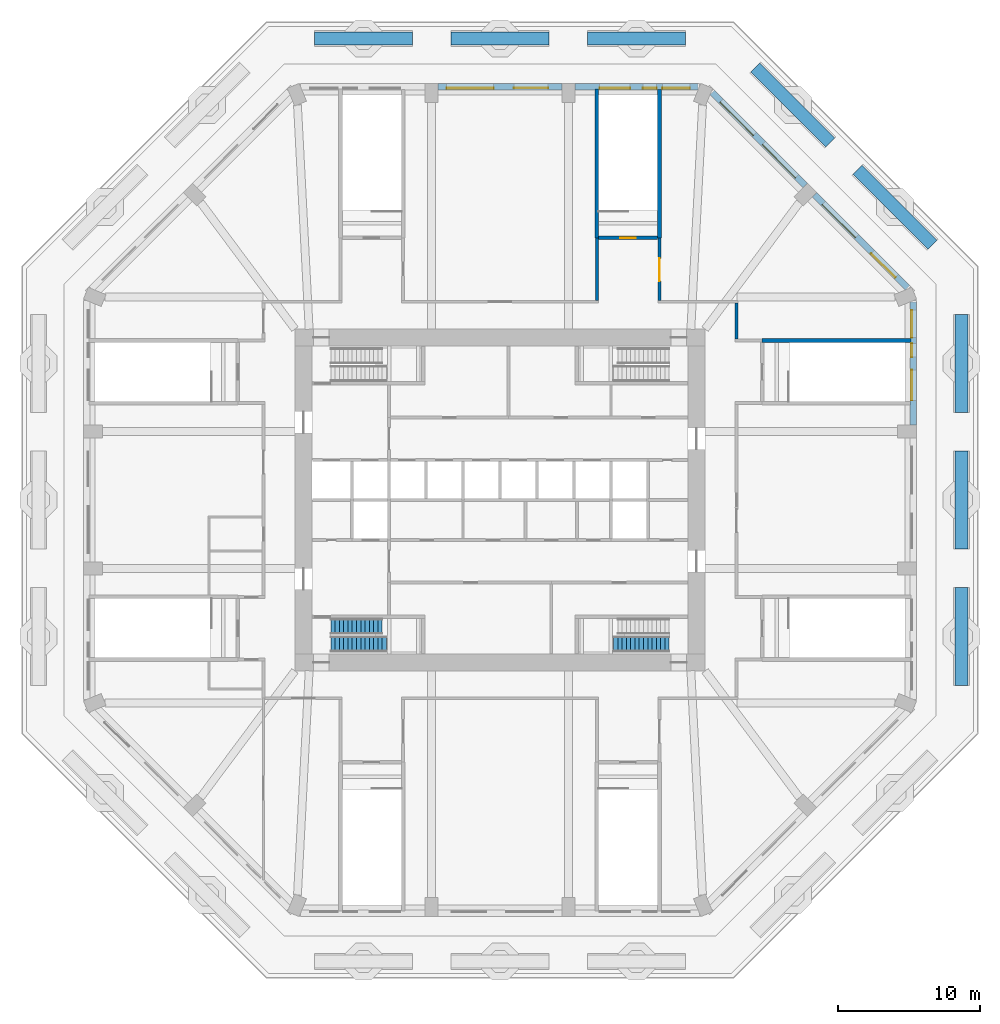
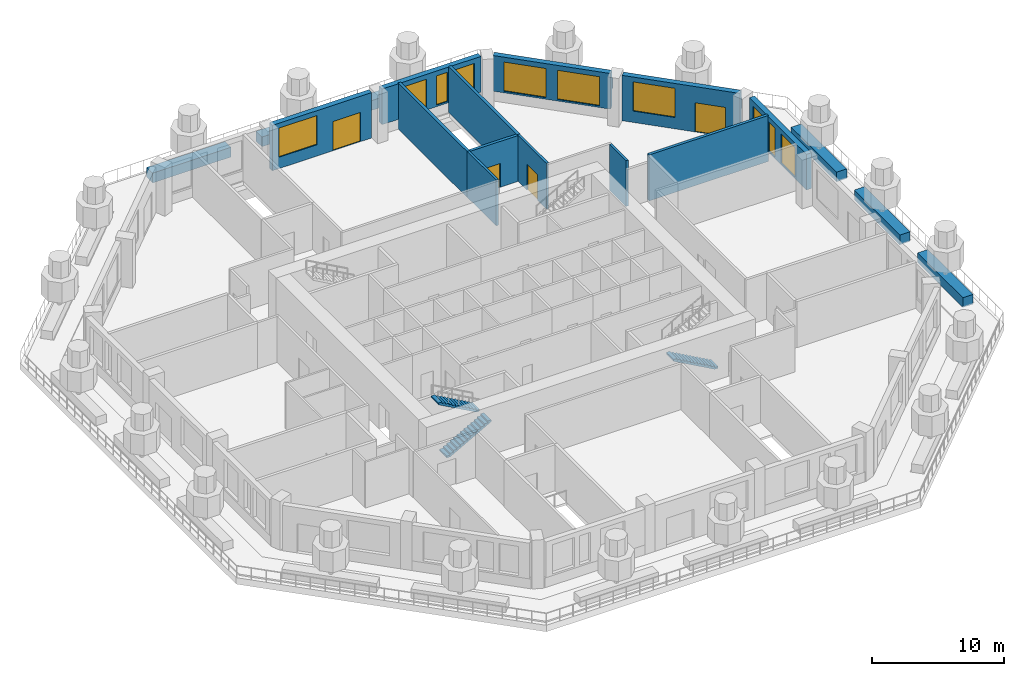
# One storey, part 8 of 13: 20 walls, 10 windows, 4 doors, 3 stair flights, 14 openings, 2 elements without a shape of their own.
"""IFC4 building model written with IfcOpenShell, lengths in metres."""

import ifcopenshell
import ifcopenshell.guid

model = None  # the IFC model being written
_history = None  # IfcOwnerHistory: only IFC2X3 demands one
_inside = {}  # id of a spatial element -> (the spatial element, [elements in it])
_under = {}  # id of a project, library or spatial element -> (it, [spatial elements below it])
_declared = {}  # id of a project -> (the project, [libraries it declares])
_typed = {}  # id of a type object -> (the type object, [elements of that type])
_made_of = {}  # id of a material, layer set ... -> (it, [elements and type objects made of it])


def new_model(schema):
    """Start an empty IFC model of exactly this schema.

    Asked for "IFC4X3", IfcOpenShell would pick the latest addendum, in which some entities
    have other attributes; the version numbers below select the first issue.
    IFC2X3 requires an IfcOwnerHistory on every rooted entity: one is made here for all.
    """
    global model, _history
    if schema == "IFC4X3":
        model = ifcopenshell.file(schema_version=(4, 3, 0, 0))
    else:
        model = ifcopenshell.file(schema=schema)
    _inside.clear()
    _under.clear()
    _declared.clear()
    _typed.clear()
    _made_of.clear()
    _history = None
    if model.schema == "IFC2X3":
        org = make("IfcOrganization", Name="unknown")
        user = make(
            "IfcPersonAndOrganization",
            ThePerson=make("IfcPerson", FamilyName="unknown"),
            TheOrganization=org,
        )
        app = make(
            "IfcApplication",
            ApplicationDeveloper=org,
            Version="unknown",
            ApplicationFullName="unknown",
            ApplicationIdentifier="unknown",
        )
        _history = make(
            "IfcOwnerHistory",
            OwningUser=user,
            OwningApplication=app,
            ChangeAction="ADDED",
            CreationDate=0,
        )
    return model


def make(cls, **values):
    """One entity of the class cls with the attributes given. An attribute that is None is left unset."""
    return model.create_entity(
        cls, **{name: value for name, value in values.items() if value is not None}
    )


def rooted(cls, **values):
    """An entity with a GlobalId (a new one), such as an element, a storey or a relation."""
    return make(cls, GlobalId=ifcopenshell.guid.new(), OwnerHistory=_history, **values)


def si_unit(unit_type, name, prefix=None):
    """IfcSIUnit, for example si_unit("LENGTHUNIT", "METRE", prefix="MILLI")."""
    return make("IfcSIUnit", UnitType=unit_type, Prefix=prefix, Name=name)


def assignment(units):
    """IfcUnitAssignment: the units of a project."""
    return None if units is None else make("IfcUnitAssignment", Units=units)


def point(xyz):
    """IfcCartesianPoint."""
    return None if xyz is None else make("IfcCartesianPoint", Coordinates=xyz)


def direction(xyz):
    """IfcDirection."""
    return None if xyz is None else make("IfcDirection", DirectionRatios=xyz)


def frame(location, z_axis=None, x_axis=None):
    """IfcAxis2Placement3D, a coordinate frame: its origin and axes. An axis left out is left unset."""
    return make(
        "IfcAxis2Placement3D",
        Location=point(location),
        Axis=direction(z_axis),
        RefDirection=direction(x_axis),
    )


def frame_2d(location, x_axis=None):
    """IfcAxis2Placement2D, a coordinate frame in the plane: its origin and x axis."""
    return make(
        "IfcAxis2Placement2D", Location=point(location), RefDirection=direction(x_axis)
    )


def origin():
    """The frame at (0, 0, 0) with its axes left unset."""
    return frame((0.0, 0.0, 0.0))


def place(relative_to, where):
    """IfcLocalPlacement: puts the frame where relative to a parent placement (None: the world)."""
    return make(
        "IfcLocalPlacement", PlacementRelTo=relative_to, RelativePlacement=where
    )


def context(
    kind, dimensions, precision=None, world=None, true_north=None, identifier=None
):
    """IfcGeometricRepresentationContext, for example the 3D "Model" context."""
    return make(
        "IfcGeometricRepresentationContext",
        ContextIdentifier=identifier,
        ContextType=kind,
        CoordinateSpaceDimension=dimensions,
        Precision=precision,
        WorldCoordinateSystem=world,
        TrueNorth=true_north,
    )


def subcontext(parent, identifier, kind, view, scale=None):
    """IfcGeometricRepresentationSubContext, for example "Body" below "Model"."""
    return make(
        "IfcGeometricRepresentationSubContext",
        ContextIdentifier=identifier,
        ContextType=kind,
        ParentContext=parent,
        TargetScale=scale,
        TargetView=view,
    )


def project(units=None, contexts=None):
    """IfcProject with its units and contexts."""
    return rooted(
        "IfcProject",
        Name="project",
        RepresentationContexts=contexts,
        UnitsInContext=assignment(units),
    )


def spatial(cls, under=None, at=None, **own):
    """A site, building, storey or space (cls), placed at a placement, below another one or the project."""
    s = rooted(cls, ObjectPlacement=at, **own)
    if under is not None:
        _under.setdefault(under.id(), (under, []))[1].append(s)
    return s


def polyline(points):
    """IfcPolyline through the points."""
    return make("IfcPolyline", Points=[point(p) for p in points])


def profile(cls, at=None, kind="AREA", **sizes):
    """A parametric profile (cls). Its sizes go by their IFC names, for example OverallWidth=200.0."""
    return make(cls, ProfileType=kind, Position=at, **sizes)


def rectangle(**sizes):
    """IfcRectangleProfileDef."""
    return profile("IfcRectangleProfileDef", **sizes)


def outline(outer, holes=None, kind="AREA"):
    """IfcArbitraryClosedProfileDef: a profile drawn as a closed curve; with holes, ...WithVoids."""
    if holes is None:
        return make("IfcArbitraryClosedProfileDef", ProfileType=kind, OuterCurve=outer)
    return make(
        "IfcArbitraryProfileDefWithVoids",
        ProfileType=kind,
        OuterCurve=outer,
        InnerCurves=holes,
    )


def extrude(swept, where, along, depth):
    """IfcExtrudedAreaSolid: the profile swept, set in the frame where, extruded along a direction by depth."""
    return make(
        "IfcExtrudedAreaSolid",
        SweptArea=swept,
        Position=where,
        ExtrudedDirection=direction(along),
        Depth=depth,
    )


def shape(context_of_items, identifier, shape_type, items):
    """IfcShapeRepresentation: the items that make up one representation, for example the "Body"."""
    return make(
        "IfcShapeRepresentation",
        ContextOfItems=context_of_items,
        RepresentationIdentifier=identifier,
        RepresentationType=shape_type,
        Items=items,
    )


def material(Name=None, Category=None):
    """IfcMaterial."""
    return make("IfcMaterial", Name=Name, Category=Category)


def layer(
    of_material, thickness, ventilated=None, Name=None, Category=None, Priority=None
):
    """IfcMaterialLayer: one layer of a wall or slab, of a material (None: an air gap)."""
    return make(
        "IfcMaterialLayer",
        Material=of_material,
        LayerThickness=thickness,
        IsVentilated=ventilated,
        Name=Name,
        Category=Category,
        Priority=Priority,
    )


def layer_set(layers, Name=None):
    """IfcMaterialLayerSet."""
    return make("IfcMaterialLayerSet", MaterialLayers=layers, LayerSetName=Name)


def made_of(thing, what):
    """Note that an element or type object is made of a material, layer set ...; save() writes the relation."""
    if what is not None:
        _made_of.setdefault(what.id(), (what, []))[1].append(thing)
    return thing


def type_object(cls, material=None, **own):
    """A type object (cls), such as IfcWallType, which elements share."""
    return made_of(rooted(cls, **own), material)


def element(
    cls,
    number,
    at=None,
    inside=None,
    cuts=None,
    type_object=None,
    material=None,
    context=None,
    identifier="Body",
    shape_type=None,
    held_by="IfcProductDefinitionShape",
    body=None,
    shapes=None,
    **own,
):
    """One element of the class cls, such as IfcWall. Its Tag is "e" and its number.

    at: its placement. inside: the storey or other place that contains it. cuts: it is an
    opening in that element (IfcRelVoidsElement). A single representation is given by context,
    identifier, shape_type and body (its items); several are given by shapes. held_by: the class
    of the entity that holds the representations. save() writes the other relations.
    """
    e = rooted(cls, Tag="e%d" % number, ObjectPlacement=at, **own)
    if body is not None:
        shapes = [shape(context, identifier, shape_type, body)]
    if shapes is not None:
        e.Representation = make(held_by, Representations=shapes)
    if inside is not None:
        _inside.setdefault(inside.id(), (inside, []))[1].append(e)
    if cuts is not None:
        rooted(
            "IfcRelVoidsElement", RelatingBuildingElement=cuts, RelatedOpeningElement=e
        )
    if type_object is not None:
        _typed.setdefault(type_object.id(), (type_object, []))[1].append(e)
    return made_of(e, material)


def fill(opening, filler):
    """IfcRelFillsElement: the door or window that sits in an opening."""
    return rooted(
        "IfcRelFillsElement",
        RelatingOpeningElement=opening,
        RelatedBuildingElement=filler,
    )


def aggregate(whole, parts):
    """IfcRelAggregates: a whole, such as a stair, and the parts it consists of."""
    return rooted("IfcRelAggregates", RelatingObject=whole, RelatedObjects=parts)


def save(model, path):
    """Write the relations noted so far, then the file.

    IfcRelAggregates (storeys below a building ...), IfcRelContainedInSpatialStructure (elements
    in a storey), IfcRelDefinesByType, IfcRelAssociatesMaterial and IfcRelDeclares: one each for
    every whole, place, type object, material and project.
    """
    for whole, parts in _under.values():
        aggregate(whole, parts)
    for where, things in _inside.values():
        rooted(
            "IfcRelContainedInSpatialStructure",
            RelatedElements=things,
            RelatingStructure=where,
        )
    for kind, things in _typed.values():
        rooted("IfcRelDefinesByType", RelatedObjects=things, RelatingType=kind)
    for what, things in _made_of.values():
        rooted("IfcRelAssociatesMaterial", RelatedObjects=things, RelatingMaterial=what)
    for by, libraries in _declared.values():
        rooted("IfcRelDeclares", RelatingContext=by, RelatedDefinitions=libraries)
    model.write(path)


model = new_model("IFC4")

# Units and contexts
model_context = context("Model", 3, precision=1e-05, world=origin(), true_north=direction((0.0, 1.0)))
body_context = subcontext(model_context, "Body", "Model", "MODEL_VIEW")
ifc_project = project(units=[si_unit("LENGTHUNIT", "METRE"), si_unit("AREAUNIT", "SQUARE_METRE"), si_unit("VOLUMEUNIT", "CUBIC_METRE"), si_unit("PLANEANGLEUNIT", "RADIAN"), si_unit("MASSUNIT", "GRAM", prefix="KILO")], contexts=[model_context])

# Site, building, storey
site_placement = place(None, origin())
site = spatial("IfcSite", under=ifc_project, at=site_placement, CompositionType="ELEMENT")
building_placement = place(site_placement, origin())
building = spatial("IfcBuilding", under=site, at=building_placement, Name="Msitu Wima Residences", CompositionType="ELEMENT")
storey_placement = place(building_placement, frame((0.0, 0.0, 21.0)))
storey = spatial("IfcBuildingStorey", under=building, at=storey_placement, Name="L04", CompositionType="ELEMENT", Elevation=21.0)

# Wall, openings, windows
ifc_material_1 = material(Name="Brick (red buff mix), cavity wall of two leaves", Category="masonry")
ifc_layer_1 = layer(ifc_material_1, 0.449951171875)
ifc_layer_set_1 = layer_set([ifc_layer_1], Name="Brick (red buff mix), cavity wall of two leaves")
wall_type_1 = type_object("IfcWallType", Name="Brick infill wall BW450 podium", PredefinedType="ELEMENTEDWALL", material=ifc_layer_set_1)
wall_1_placement = place(storey_placement, frame((29.02490234375, 5.25, 0.89990234375), z_axis=(0.0, 0.0, 1.0), x_axis=(0.0, 1.0, 0.0)))
wall_1 = element("IfcWall", 1, at=wall_1_placement, inside=storey, type_object=wall_type_1, Name="Brick infill wall L04 E2", PredefinedType="ELEMENTEDWALL", context=body_context, shape_type="SweptSolid", body=[
    extrude(rectangle(XDim=8.662841796875, YDim=0.449951171875, at=frame_2d((4.33154296875, 0.0))), origin(), (0.0, 0.0, 1.0), 3.300048828125),
])
opening_1_placement = place(wall_1_placement, frame((1.75, 0.0, 0.14990234375)))
opening_1 = element("IfcOpeningElement", 2, at=opening_1_placement, cuts=wall_1, Name="Opening W04.005", PredefinedType="OPENING", context=body_context, shape_type="SweptSolid", body=[
    extrude(rectangle(XDim=2.1298828125, YDim=2.699951171875, at=frame_2d((1.06494140625, 1.35009765625))), frame((0.0, 0.23486328125, 0.0), z_axis=(0.0, -1.0, 0.0), x_axis=(1.0, 0.0, 0.0)), (0.0, 0.0, 1.0), 0.469970703125),
])
opening_2_placement = place(wall_1_placement, frame((4.781494140625, 0.0, 0.14990234375)))
opening_2 = element("IfcOpeningElement", 3, at=opening_2_placement, cuts=wall_1, Name="Opening W04.006", PredefinedType="OPENING", context=body_context, shape_type="SweptSolid", body=[
    extrude(rectangle(XDim=0.969970703125, YDim=2.699951171875, at=frame_2d((0.48486328125, 1.35009765625))), frame((0.0, 0.23486328125, 0.0), z_axis=(0.0, -1.0, 0.0), x_axis=(1.0, 0.0, 0.0)), (0.0, 0.0, 1.0), 0.469970703125),
])
opening_3_placement = place(wall_1_placement, frame((6.14990234375, 0.0, 0.14990234375)))
opening_3 = element("IfcOpeningElement", 4, at=opening_3_placement, cuts=wall_1, Name="Opening W04.007", PredefinedType="OPENING", context=body_context, shape_type="SweptSolid", body=[
    extrude(rectangle(XDim=1.929931640625, YDim=2.699951171875, at=frame_2d((0.96484375, 1.35009765625))), frame((0.0, 0.23486328125, 0.0), z_axis=(0.0, -1.0, 0.0), x_axis=(1.0, 0.0, 0.0)), (0.0, 0.0, 1.0), 0.469970703125),
])
ifc_material_2 = material(Name="Anodised aluminium, bronze finish, clear low-emissivity double glazing", Category="aluminium")
window_type_1 = type_object("IfcWindowType", Name="Window W1930x2700", PartitioningType="DOUBLE_PANEL_VERTICAL", PredefinedType="WINDOW", material=ifc_material_2)
window_1_placement = place(opening_3_placement, origin())
window_1 = element("IfcWindow", 5, at=window_1_placement, inside=storey, type_object=window_type_1, Name="Window L04 E2.2b", OverallHeight=2.699951171875, OverallWidth=1.929931640625, PartitioningType="SINGLE_PANEL", PredefinedType="WINDOW", context=body_context, shape_type="SweptSolid", body=[
    extrude(rectangle(XDim=1.929931640625, YDim=2.699951171875, at=frame_2d((0.96484375, 1.35009765625))), frame((0.0, 0.135009765625, 0.0), z_axis=(0.0, -1.0, 0.0), x_axis=(1.0, 0.0, 0.0)), (0.0, 0.0, 1.0), 0.06005859375),
])
fill(opening_3, window_1)
window_type_2 = type_object("IfcWindowType", Name="Window W2130x2700", PartitioningType="DOUBLE_PANEL_VERTICAL", PredefinedType="WINDOW", material=ifc_material_2)
window_2_placement = place(opening_1_placement, origin())
window_2 = element("IfcWindow", 6, at=window_2_placement, inside=storey, type_object=window_type_2, Name="Window L04 E2.1b", OverallHeight=2.699951171875, OverallWidth=2.1298828125, PartitioningType="SINGLE_PANEL", PredefinedType="WINDOW", context=body_context, shape_type="SweptSolid", body=[
    extrude(rectangle(XDim=2.1298828125, YDim=2.699951171875, at=frame_2d((1.06494140625, 1.35009765625))), frame((0.0, 0.135009765625, 0.0), z_axis=(0.0, -1.0, 0.0), x_axis=(1.0, 0.0, 0.0)), (0.0, 0.0, 1.0), 0.06005859375),
])
fill(opening_1, window_2)
window_type_3 = type_object("IfcWindowType", Name="Window W970x2700", PartitioningType="DOUBLE_PANEL_VERTICAL", PredefinedType="WINDOW", material=ifc_material_2)
window_3_placement = place(opening_2_placement, origin())
window_3 = element("IfcWindow", 7, at=window_3_placement, inside=storey, type_object=window_type_3, Name="Window L04 E2.2a", OverallHeight=2.699951171875, OverallWidth=0.969970703125, PartitioningType="SINGLE_PANEL", PredefinedType="WINDOW", context=body_context, shape_type="SweptSolid", body=[
    extrude(rectangle(XDim=0.969970703125, YDim=2.699951171875, at=frame_2d((0.48486328125, 1.35009765625))), frame((0.0, 0.135009765625, 0.0), z_axis=(0.0, -1.0, 0.0), x_axis=(1.0, 0.0, 0.0)), (0.0, 0.0, 1.0), 0.06005859375),
])
fill(opening_2, window_3)

# Wall, openings, door, window
wall_2_placement = place(storey_placement, frame((28.61474609375, 14.903564453125, 0.0), z_axis=(0.0, 0.0, 1.0), x_axis=(-0.707106781187, 0.707106781187, 0.0)))
wall_2 = element("IfcWall", 8, at=wall_2_placement, inside=storey, type_object=wall_type_1, Name="Brick infill wall L04 NE0", PredefinedType="ELEMENTEDWALL", context=body_context, shape_type="SweptSolid", body=[
    extrude(rectangle(XDim=9.2451171875, YDim=0.449951171875, at=frame_2d((4.62255859375, 0.0))), origin(), (0.0, 0.0, 1.0), 4.199951171875),
])
opening_4_placement = place(wall_2_placement, frame((1.111328125, 0.0, 0.0)))
opening_4 = element("IfcOpeningElement", 9, at=opening_4_placement, cuts=wall_2, Name="Opening D04.003", PredefinedType="OPENING", context=body_context, shape_type="SweptSolid", body=[
    extrude(rectangle(XDim=2.39990234375, YDim=2.699951171875, at=frame_2d((1.199951171875, 1.35009765625))), frame((0.0, 0.23486328125, 0.0), z_axis=(0.0, -1.0, 0.0), x_axis=(1.0, 0.0, 0.0)), (0.0, 0.0, 1.0), 0.469970703125),
])
opening_5_placement = place(wall_2_placement, frame((5.072509765625, 0.0, 1.050048828125)))
opening_5 = element("IfcOpeningElement", 10, at=opening_5_placement, cuts=wall_2, Name="Opening W04.015", PredefinedType="OPENING", context=body_context, shape_type="SweptSolid", body=[
    extrude(rectangle(XDim=3.300048828125, YDim=2.699951171875, at=frame_2d((1.64990234375, 1.35009765625))), frame((0.0, 0.23486328125, 0.0), z_axis=(0.0, -1.0, 0.0), x_axis=(1.0, 0.0, 0.0)), (0.0, 0.0, 1.0), 0.469970703125),
])
door_type_1 = type_object("IfcDoorType", Name="Balcony door D2400x2700", OperationType="SLIDING_TO_LEFT", PredefinedType="DOOR", material=ifc_material_2)
door_1_placement = place(opening_4_placement, origin())
door_1 = element("IfcDoor", 11, at=door_1_placement, inside=storey, type_object=door_type_1, Name="Terrace door L04 NE0", OperationType="SINGLE_SWING_LEFT", OverallHeight=2.699951171875, OverallWidth=2.39990234375, PredefinedType="DOOR", context=body_context, shape_type="SweptSolid", body=[
    extrude(rectangle(XDim=2.39990234375, YDim=2.699951171875, at=frame_2d((1.199951171875, 1.35009765625))), frame((0.0, 0.1298828125, 0.0), z_axis=(0.0, -1.0, 0.0), x_axis=(1.0, 0.0, 0.0)), (0.0, 0.0, 1.0), 0.050048828125),
])
fill(opening_4, door_1)
window_type_4 = type_object("IfcWindowType", Name="Window W3300x2700", PartitioningType="DOUBLE_PANEL_VERTICAL", PredefinedType="WINDOW", material=ifc_material_2)
window_4_placement = place(opening_5_placement, origin())
window_4 = element("IfcWindow", 12, at=window_4_placement, inside=storey, type_object=window_type_4, Name="Window L04 NE0.2", OverallHeight=2.699951171875, OverallWidth=3.300048828125, PartitioningType="SINGLE_PANEL", PredefinedType="WINDOW", context=body_context, shape_type="SweptSolid", body=[
    extrude(rectangle(XDim=3.300048828125, YDim=2.699951171875, at=frame_2d((1.64990234375, 1.35009765625))), frame((0.0, 0.135009765625, 0.0), z_axis=(0.0, -1.0, 0.0), x_axis=(1.0, 0.0, 0.0)), (0.0, 0.0, 1.0), 0.06005859375),
])
fill(opening_5, window_4)

# Wall, openings, windows
wall_3_placement = place(storey_placement, frame((21.44091796875, 22.077392578125, 0.89990234375), z_axis=(0.0, 0.0, 1.0), x_axis=(-0.707106781187, 0.707106781187, 0.0)))
wall_3 = element("IfcWall", 13, at=wall_3_placement, inside=storey, type_object=wall_type_1, Name="Brick infill wall L04 NE1", PredefinedType="ELEMENTEDWALL", context=body_context, shape_type="SweptSolid", body=[
    extrude(rectangle(XDim=9.2451171875, YDim=0.449951171875, at=frame_2d((4.62255859375, 0.0))), origin(), (0.0, 0.0, 1.0), 3.300048828125),
])
opening_6_placement = place(wall_3_placement, frame((0.87255859375, 0.0, 0.14990234375)))
opening_6 = element("IfcOpeningElement", 14, at=opening_6_placement, cuts=wall_3, Name="Opening W04.016", PredefinedType="OPENING", context=body_context, shape_type="SweptSolid", body=[
    extrude(rectangle(XDim=3.300048828125, YDim=2.699951171875, at=frame_2d((1.64990234375, 1.35009765625))), frame((0.0, 0.23486328125, 0.0), z_axis=(0.0, -1.0, 0.0), x_axis=(1.0, 0.0, 0.0)), (0.0, 0.0, 1.0), 0.469970703125),
])
opening_7_placement = place(wall_3_placement, frame((5.072509765625, 0.0, 0.14990234375)))
opening_7 = element("IfcOpeningElement", 15, at=opening_7_placement, cuts=wall_3, Name="Opening W04.017", PredefinedType="OPENING", context=body_context, shape_type="SweptSolid", body=[
    extrude(rectangle(XDim=3.300048828125, YDim=2.699951171875, at=frame_2d((1.64990234375, 1.35009765625))), frame((0.0, 0.23486328125, 0.0), z_axis=(0.0, -1.0, 0.0), x_axis=(1.0, 0.0, 0.0)), (0.0, 0.0, 1.0), 0.469970703125),
])
window_5_placement = place(opening_6_placement, origin())
window_5 = element("IfcWindow", 16, at=window_5_placement, inside=storey, type_object=window_type_4, Name="Window L04 NE1.1", OverallHeight=2.699951171875, OverallWidth=3.300048828125, PartitioningType="SINGLE_PANEL", PredefinedType="WINDOW", context=body_context, shape_type="SweptSolid", body=[
    extrude(rectangle(XDim=3.300048828125, YDim=2.699951171875, at=frame_2d((1.64990234375, 1.35009765625))), frame((0.0, 0.135009765625, 0.0), z_axis=(0.0, -1.0, 0.0), x_axis=(1.0, 0.0, 0.0)), (0.0, 0.0, 1.0), 0.06005859375),
])
fill(opening_6, window_5)
window_6_placement = place(opening_7_placement, origin())
window_6 = element("IfcWindow", 17, at=window_6_placement, inside=storey, type_object=window_type_4, Name="Window L04 NE1.2", OverallHeight=2.699951171875, OverallWidth=3.300048828125, PartitioningType="SINGLE_PANEL", PredefinedType="WINDOW", context=body_context, shape_type="SweptSolid", body=[
    extrude(rectangle(XDim=3.300048828125, YDim=2.699951171875, at=frame_2d((1.64990234375, 1.35009765625))), frame((0.0, 0.135009765625, 0.0), z_axis=(0.0, -1.0, 0.0), x_axis=(1.0, 0.0, 0.0)), (0.0, 0.0, 1.0), 0.06005859375),
])
fill(opening_7, window_6)

wall_4_placement = place(storey_placement, frame((13.912841796875, 29.02490234375, 0.89990234375), z_axis=(0.0, 0.0, 1.0), x_axis=(-1.0, 0.0, 0.0)))
wall_4 = element("IfcWall", 18, at=wall_4_placement, inside=storey, type_object=wall_type_1, Name="Brick infill wall L04 N0", PredefinedType="ELEMENTEDWALL", context=body_context, shape_type="SweptSolid", body=[
    extrude(rectangle(XDim=8.662841796875, YDim=0.449951171875, at=frame_2d((4.33154296875, 0.0))), origin(), (0.0, 0.0, 1.0), 3.300048828125),
])
opening_8_placement = place(wall_4_placement, frame((0.58154296875, 0.0, 0.14990234375)))
opening_8 = element("IfcOpeningElement", 19, at=opening_8_placement, cuts=wall_4, Name="Opening W04.008", PredefinedType="OPENING", context=body_context, shape_type="SweptSolid", body=[
    extrude(rectangle(XDim=1.929931640625, YDim=2.699951171875, at=frame_2d((0.96484375, 1.35009765625))), frame((0.0, 0.23486328125, 0.0), z_axis=(0.0, -1.0, 0.0), x_axis=(1.0, 0.0, 0.0)), (0.0, 0.0, 1.0), 0.469970703125),
])
opening_9_placement = place(wall_4_placement, frame((2.912841796875, 0.0, 0.14990234375)))
opening_9 = element("IfcOpeningElement", 20, at=opening_9_placement, cuts=wall_4, Name="Opening W04.009", PredefinedType="OPENING", context=body_context, shape_type="SweptSolid", body=[
    extrude(rectangle(XDim=0.969970703125, YDim=2.699951171875, at=frame_2d((0.48486328125, 1.35009765625))), frame((0.0, 0.23486328125, 0.0), z_axis=(0.0, -1.0, 0.0), x_axis=(1.0, 0.0, 0.0)), (0.0, 0.0, 1.0), 0.469970703125),
])
opening_10_placement = place(wall_4_placement, frame((4.781494140625, 0.0, 0.14990234375)))
opening_10 = element("IfcOpeningElement", 21, at=opening_10_placement, cuts=wall_4, Name="Opening W04.010", PredefinedType="OPENING", context=body_context, shape_type="SweptSolid", body=[
    extrude(rectangle(XDim=2.1298828125, YDim=2.699951171875, at=frame_2d((1.06494140625, 1.35009765625))), frame((0.0, 0.23486328125, 0.0), z_axis=(0.0, -1.0, 0.0), x_axis=(1.0, 0.0, 0.0)), (0.0, 0.0, 1.0), 0.469970703125),
])
window_7_placement = place(opening_8_placement, origin())
window_7 = element("IfcWindow", 22, at=window_7_placement, inside=storey, type_object=window_type_1, Name="Window L04 N0.1a", OverallHeight=2.699951171875, OverallWidth=1.929931640625, PartitioningType="SINGLE_PANEL", PredefinedType="WINDOW", context=body_context, shape_type="SweptSolid", body=[
    extrude(rectangle(XDim=1.929931640625, YDim=2.699951171875, at=frame_2d((0.96484375, 1.35009765625))), frame((0.0, 0.135009765625, 0.0), z_axis=(0.0, -1.0, 0.0), x_axis=(1.0, 0.0, 0.0)), (0.0, 0.0, 1.0), 0.06005859375),
])
fill(opening_8, window_7)
window_8_placement = place(opening_10_placement, origin())
window_8 = element("IfcWindow", 23, at=window_8_placement, inside=storey, type_object=window_type_2, Name="Window L04 N0.2a", OverallHeight=2.699951171875, OverallWidth=2.1298828125, PartitioningType="SINGLE_PANEL", PredefinedType="WINDOW", context=body_context, shape_type="SweptSolid", body=[
    extrude(rectangle(XDim=2.1298828125, YDim=2.699951171875, at=frame_2d((1.06494140625, 1.35009765625))), frame((0.0, 0.135009765625, 0.0), z_axis=(0.0, -1.0, 0.0), x_axis=(1.0, 0.0, 0.0)), (0.0, 0.0, 1.0), 0.06005859375),
])
fill(opening_10, window_8)
window_9_placement = place(opening_9_placement, origin())
window_9 = element("IfcWindow", 24, at=window_9_placement, inside=storey, type_object=window_type_3, Name="Window L04 N0.1b", OverallHeight=2.699951171875, OverallWidth=0.969970703125, PartitioningType="SINGLE_PANEL", PredefinedType="WINDOW", context=body_context, shape_type="SweptSolid", body=[
    extrude(rectangle(XDim=0.969970703125, YDim=2.699951171875, at=frame_2d((0.48486328125, 1.35009765625))), frame((0.0, 0.135009765625, 0.0), z_axis=(0.0, -1.0, 0.0), x_axis=(1.0, 0.0, 0.0)), (0.0, 0.0, 1.0), 0.06005859375),
])
fill(opening_9, window_9)

# Wall, openings, door, window
wall_5_placement = place(storey_placement, frame((4.35009765625, 29.02490234375, 0.0), z_axis=(0.0, 0.0, 1.0), x_axis=(-1.0, 0.0, 0.0)))
wall_5 = element("IfcWall", 25, at=wall_5_placement, inside=storey, type_object=wall_type_1, Name="Brick infill wall L04 N1", PredefinedType="ELEMENTEDWALL", context=body_context, shape_type="SweptSolid", body=[
    extrude(rectangle(XDim=8.7001953125, YDim=0.449951171875, at=frame_2d((4.35009765625, 0.0))), origin(), (0.0, 0.0, 1.0), 4.199951171875),
])
opening_11_placement = place(wall_5_placement, frame((0.97509765625, 0.0, 0.0)))
opening_11 = element("IfcOpeningElement", 26, at=opening_11_placement, cuts=wall_5, Name="Opening D04.002", PredefinedType="OPENING", context=body_context, shape_type="SweptSolid", body=[
    extrude(rectangle(XDim=2.39990234375, YDim=2.699951171875, at=frame_2d((1.199951171875, 1.35009765625))), frame((0.0, 0.23486328125, 0.0), z_axis=(0.0, -1.0, 0.0), x_axis=(1.0, 0.0, 0.0)), (0.0, 0.0, 1.0), 0.469970703125),
])
opening_12_placement = place(wall_5_placement, frame((4.800048828125, 0.0, 1.050048828125)))
opening_12 = element("IfcOpeningElement", 27, at=opening_12_placement, cuts=wall_5, Name="Opening W04.011", PredefinedType="OPENING", context=body_context, shape_type="SweptSolid", body=[
    extrude(rectangle(XDim=3.300048828125, YDim=2.699951171875, at=frame_2d((1.64990234375, 1.35009765625))), frame((0.0, 0.23486328125, 0.0), z_axis=(0.0, -1.0, 0.0), x_axis=(1.0, 0.0, 0.0)), (0.0, 0.0, 1.0), 0.469970703125),
])
door_2_placement = place(opening_11_placement, origin())
door_2 = element("IfcDoor", 28, at=door_2_placement, inside=storey, type_object=door_type_1, Name="Terrace door L04 N1", OperationType="SINGLE_SWING_LEFT", OverallHeight=2.699951171875, OverallWidth=2.39990234375, PredefinedType="DOOR", context=body_context, shape_type="SweptSolid", body=[
    extrude(rectangle(XDim=2.39990234375, YDim=2.699951171875, at=frame_2d((1.199951171875, 1.35009765625))), frame((0.0, 0.1298828125, 0.0), z_axis=(0.0, -1.0, 0.0), x_axis=(1.0, 0.0, 0.0)), (0.0, 0.0, 1.0), 0.050048828125),
])
fill(opening_11, door_2)
window_10_placement = place(opening_12_placement, origin())
window_10 = element("IfcWindow", 29, at=window_10_placement, inside=storey, type_object=window_type_4, Name="Window L04 N1.2", OverallHeight=2.699951171875, OverallWidth=3.300048828125, PartitioningType="SINGLE_PANEL", PredefinedType="WINDOW", context=body_context, shape_type="SweptSolid", body=[
    extrude(rectangle(XDim=3.300048828125, YDim=2.699951171875, at=frame_2d((1.64990234375, 1.35009765625))), frame((0.0, 0.135009765625, 0.0), z_axis=(0.0, -1.0, 0.0), x_axis=(1.0, 0.0, 0.0)), (0.0, 0.0, 1.0), 0.06005859375),
])
fill(opening_12, window_10)

# Wall
ifc_material_3 = material(Name="Plaster")
ifc_layer_2 = layer(ifc_material_3, 0.011962890625, Name="Plaster")
ifc_material_4 = material(Name="Concrete blockwork", Category="masonry")
ifc_layer_3 = layer(ifc_material_4, 0.176025390625, Name="Concrete blockwork")
ifc_layer_4 = layer(ifc_material_3, 0.011962890625, Name="Plaster")
ifc_layer_set_2 = layer_set([ifc_layer_2, ifc_layer_3, ifc_layer_4], Name="Concrete blockwork")
wall_type_2 = type_object("IfcWallType", Name="Corridor wall FW200", PredefinedType="PARTITIONING", material=ifc_layer_set_2)
wall_6_placement = place(storey_placement, frame((6.800048828125, 14.013427734375, 0.0), z_axis=(0.0, 0.0, 1.0), x_axis=(0.0, 1.0, 0.0)))
element("IfcWall", 30, at=wall_6_placement, inside=storey, type_object=wall_type_2, Name="Corridor wall", PredefinedType="PARTITIONING", context=body_context, shape_type="SweptSolid", body=[
    extrude(rectangle(XDim=4.386474609375, YDim=0.199951171875, at=frame_2d((2.193359375, 0.0))), origin(), (0.0, 0.0, 1.0), 4.25),
])

# Wall, opening, door
wall_7_placement = place(storey_placement, frame((11.199951171875, 14.013427734375, 0.0), z_axis=(0.0, 0.0, 1.0), x_axis=(0.0, 1.0, 0.0)))
wall_7 = element("IfcWall", 31, at=wall_7_placement, inside=storey, type_object=wall_type_2, Name="Corridor wall", PredefinedType="PARTITIONING", context=body_context, shape_type="SweptSolid", body=[
    extrude(rectangle(XDim=4.386474609375, YDim=0.199951171875, at=frame_2d((2.193359375, 0.0))), origin(), (0.0, 0.0, 1.0), 4.25),
])
opening_13_placement = place(wall_7_placement, frame((1.35009765625, 0.0, 0.0)))
opening_13 = element("IfcOpeningElement", 32, at=opening_13_placement, cuts=wall_7, Name="Opening D04.027", PredefinedType="OPENING", context=body_context, shape_type="SweptSolid", body=[
    extrude(rectangle(XDim=1.60009765625, YDim=2.39990234375, at=frame_2d((0.800048828125, 1.199951171875))), frame((0.0, 0.10986328125, 0.0), z_axis=(0.0, -1.0, 0.0), x_axis=(1.0, 0.0, 0.0)), (0.0, 0.0, 1.0), 0.219970703125),
])
ifc_material_5 = material(Name="Black aluminium glazed door", Category="aluminium")
door_type_2 = type_object("IfcDoorType", Name="Amenity door D10 1600x2400", OperationType="DOUBLE_DOOR_SINGLE_SWING", PredefinedType="DOOR", material=ifc_material_5)
door_3_placement = place(opening_13_placement, origin())
door_3 = element("IfcDoor", 33, at=door_3_placement, inside=storey, type_object=door_type_2, Name="Amenity door", OperationType="DOUBLE_DOOR_SINGLE_SWING", OverallHeight=2.39990234375, OverallWidth=1.60009765625, PredefinedType="DOOR", context=body_context, shape_type="SweptSolid", body=[
    extrude(rectangle(XDim=1.60009765625, YDim=2.39990234375, at=frame_2d((0.800048828125, 1.199951171875))), frame((0.0, 0.02490234375, 0.0), z_axis=(0.0, -1.0, 0.0), x_axis=(1.0, 0.0, 0.0)), (0.0, 0.0, 1.0), 0.050048828125),
])
fill(opening_13, door_3)

# Walls
wall_8_placement = place(storey_placement, frame((16.60009765625, 11.300048828125, 0.0), z_axis=(0.0, 0.0, 1.0), x_axis=(0.0, 1.0, 0.0)))
element("IfcWall", 34, at=wall_8_placement, inside=storey, type_object=wall_type_2, Name="Corridor wall", PredefinedType="PARTITIONING", context=body_context, shape_type="SweptSolid", body=[
    extrude(rectangle(XDim=2.513427734375, YDim=0.199951171875, at=frame_2d((1.2568359375, 0.0))), origin(), (0.0, 0.0, 1.0), 4.25),
])
ifc_material_6 = material(Name="Concrete C50/60", Category="concrete")
ifc_layer_5 = layer(ifc_material_6, 0.25)
ifc_layer_set_3 = layer_set([ifc_layer_5], Name="Concrete C50/60")
wall_type_3 = type_object("IfcWallType", Name="Stair enclosure wall SW250", PredefinedType="SHEAR", material=ifc_layer_set_3)
wall_9_placement = place(storey_placement, frame((6.800048828125, 18.39990234375, 0.0), z_axis=(0.0, 0.0, 1.0), x_axis=(0.0, 1.0, 0.0)))
element("IfcWall", 35, at=wall_9_placement, inside=storey, type_object=wall_type_3, Name="Stair enclosure wall", PredefinedType="SHEAR", context=body_context, shape_type="SweptSolid", body=[
    extrude(rectangle(XDim=10.455078125, YDim=0.25, at=frame_2d((5.2275390625, 0.0))), origin(), (0.0, 0.0, 1.0), 4.25),
])

# Wall, opening, door
wall_10_placement = place(storey_placement, frame((6.925048828125, 18.39990234375, 0.0), z_axis=(0.0, 0.0, 1.0), x_axis=(1.0, 0.0, 0.0)))
wall_10 = element("IfcWall", 36, at=wall_10_placement, inside=storey, type_object=wall_type_3, Name="Stair enclosure wall", PredefinedType="SHEAR", context=body_context, shape_type="SweptSolid", body=[
    extrude(rectangle(XDim=4.14990234375, YDim=0.25, at=frame_2d((2.074951171875, 0.0))), origin(), (0.0, 0.0, 1.0), 4.25),
])
opening_14_placement = place(wall_10_placement, frame((1.5, 0.0, 0.0)))
opening_14 = element("IfcOpeningElement", 37, at=opening_14_placement, cuts=wall_10, Name="Opening D04.042", PredefinedType="OPENING", context=body_context, shape_type="SweptSolid", body=[
    extrude(rectangle(XDim=1.10009765625, YDim=2.199951171875, at=frame_2d((0.550048828125, 1.10009765625))), frame((0.0, 0.135009765625, 0.0), z_axis=(0.0, -1.0, 0.0), x_axis=(1.0, 0.0, 0.0)), (0.0, 0.0, 1.0), 0.27001953125),
])
ifc_material_7 = material(Name="Steel door, fire resisting, panic bar", Category="steel")
door_type_3 = type_object("IfcDoorType", Name="Stair door D13 1100x2200", OperationType="SINGLE_SWING_LEFT", PredefinedType="DOOR", material=ifc_material_7)
door_4_placement = place(opening_14_placement, origin())
door_4 = element("IfcDoor", 38, at=door_4_placement, inside=storey, type_object=door_type_3, Name="Stair door", OperationType="SINGLE_SWING_LEFT", OverallHeight=2.199951171875, OverallWidth=1.10009765625, PredefinedType="DOOR", context=body_context, shape_type="SweptSolid", body=[
    extrude(rectangle(XDim=1.10009765625, YDim=2.199951171875, at=frame_2d((0.550048828125, 1.10009765625))), frame((0.0, 0.02490234375, 0.0), z_axis=(0.0, -1.0, 0.0), x_axis=(1.0, 0.0, 0.0)), (0.0, 0.0, 1.0), 0.050048828125),
])
fill(opening_14, door_4)

# Walls
wall_11_placement = place(storey_placement, frame((11.199951171875, 18.39990234375, 0.0), z_axis=(0.0, 0.0, 1.0), x_axis=(0.0, 1.0, 0.0)))
element("IfcWall", 39, at=wall_11_placement, inside=storey, type_object=wall_type_3, Name="Stair enclosure wall", PredefinedType="SHEAR", context=body_context, shape_type="SweptSolid", body=[
    extrude(rectangle(XDim=10.425048828125, YDim=0.25, at=frame_2d((5.21240234375, 0.0))), origin(), (0.0, 0.0, 1.0), 4.25),
])
wall_12_placement = place(storey_placement, frame((18.39990234375, 11.199951171875, 0.0), z_axis=(0.0, 0.0, 1.0), x_axis=(1.0, 0.0, 0.0)))
element("IfcWall", 40, at=wall_12_placement, inside=storey, type_object=wall_type_3, Name="Stair enclosure wall", PredefinedType="SHEAR", context=body_context, shape_type="SweptSolid", body=[
    extrude(rectangle(XDim=10.455078125, YDim=0.25, at=frame_2d((5.2275390625, 0.0))), origin(), (0.0, 0.0, 1.0), 4.25),
])
ifc_material_8 = material(Name="Facing brick")
ifc_layer_6 = layer(ifc_material_8, 0.06494140625, Name="Facing brick")
ifc_material_9 = material(Name="Concrete C40/50", Category="concrete")
ifc_layer_7 = layer(ifc_material_9, 0.381103515625, Name="Concrete C40/50")
ifc_material_10 = material(Name="Waterproofing membrane")
ifc_layer_8 = layer(ifc_material_10, 0.00390625, Name="Waterproofing membrane")
ifc_material_11 = material(Name="Planting soil and planting")
ifc_layer_9 = layer(ifc_material_11, 0.449951171875, Name="Planting soil and planting")
ifc_layer_set_4 = layer_set([ifc_layer_6, ifc_layer_7, ifc_layer_8, ifc_layer_9], Name="Concrete C40/50")
wall_type_4 = type_object("IfcWallType", Name="Terrace planter PLANTER PL900", PredefinedType="USERDEFINED", material=ifc_layer_set_4)
wall_13_placement = place(storey_placement, frame((32.39990234375, -13.012939453125, 0.0), z_axis=(0.0, 0.0, 1.0), x_axis=(0.0, 1.0, 0.0)))
element("IfcWall", 41, at=wall_13_placement, inside=storey, type_object=wall_type_4, Name="Terrace planter L04 E0", ObjectType="PLANTER", PredefinedType="USERDEFINED", context=body_context, shape_type="SweptSolid", body=[
    extrude(rectangle(XDim=6.863037109375, YDim=0.89990234375, at=frame_2d((3.431640625, 0.0))), origin(), (0.0, 0.0, 1.0), 0.89990234375),
])
wall_14_placement = place(storey_placement, frame((32.39990234375, -3.449951171875, 0.0), z_axis=(0.0, 0.0, 1.0), x_axis=(0.0, 1.0, 0.0)))
element("IfcWall", 42, at=wall_14_placement, inside=storey, type_object=wall_type_4, Name="Terrace planter L04 E1", ObjectType="PLANTER", PredefinedType="USERDEFINED", context=body_context, shape_type="SweptSolid", body=[
    extrude(rectangle(XDim=6.89990234375, YDim=0.89990234375, at=frame_2d((3.449951171875, 0.0))), origin(), (0.0, 0.0, 1.0), 0.89990234375),
])
wall_15_placement = place(storey_placement, frame((32.39990234375, 6.14990234375, 0.0), z_axis=(0.0, 0.0, 1.0), x_axis=(0.0, 1.0, 0.0)))
element("IfcWall", 43, at=wall_15_placement, inside=storey, type_object=wall_type_4, Name="Terrace planter L04 E2", ObjectType="PLANTER", PredefinedType="USERDEFINED", context=body_context, shape_type="SweptSolid", body=[
    extrude(rectangle(XDim=6.863037109375, YDim=0.89990234375, at=frame_2d((3.431640625, 0.0))), origin(), (0.0, 0.0, 1.0), 0.89990234375),
])
for number, where, z_axis, x_axis, name in (
    (44, (30.36474609375, 17.926513671875, 0.0), (0.0, 0.0, 1.0), (-0.707123176915, 0.707090385078, 0.0), "Terrace planter L04 NE0"),
    (45, (23.19091796875, 25.10009765625, 0.0), (0.0, 0.0, 1.0), (-0.707090385078, 0.707123176915, 0.0), "Terrace planter L04 NE1"),
):
    element("IfcWall", number, at=place(storey_placement, frame(where, z_axis=z_axis, x_axis=x_axis)), inside=storey, type_object=wall_type_4, Name=name, ObjectType="PLANTER", PredefinedType="USERDEFINED", context=body_context, shape_type="SweptSolid", body=[
        extrude(rectangle(XDim=7.445068359375, YDim=0.89990234375, at=frame_2d((3.72265625, 0.0))), origin(), (0.0, 0.0, 1.0), 0.89990234375),
    ])
wall_16_placement = place(storey_placement, frame((13.012939453125, 32.39990234375, 0.0), z_axis=(0.0, 0.0, 1.0), x_axis=(-1.0, 0.0, 0.0)))
element("IfcWall", 46, at=wall_16_placement, inside=storey, type_object=wall_type_4, Name="Terrace planter L04 N0", ObjectType="PLANTER", PredefinedType="USERDEFINED", context=body_context, shape_type="SweptSolid", body=[
    extrude(rectangle(XDim=6.863037109375, YDim=0.89990234375, at=frame_2d((3.431640625, 0.0))), origin(), (0.0, 0.0, 1.0), 0.89990234375),
])
wall_17_placement = place(storey_placement, frame((3.449951171875, 32.39990234375, 0.0), z_axis=(0.0, 0.0, 1.0), x_axis=(-1.0, 0.0, 0.0)))
element("IfcWall", 47, at=wall_17_placement, inside=storey, type_object=wall_type_4, Name="Terrace planter L04 N1", ObjectType="PLANTER", PredefinedType="USERDEFINED", context=body_context, shape_type="SweptSolid", body=[
    extrude(rectangle(XDim=6.89990234375, YDim=0.89990234375, at=frame_2d((3.449951171875, 0.0))), origin(), (0.0, 0.0, 1.0), 0.89990234375),
])
wall_18_placement = place(storey_placement, frame((-6.14990234375, 32.39990234375, 0.0), z_axis=(0.0, 0.0, 1.0), x_axis=(-1.0, 0.0, 0.0)))
element("IfcWall", 48, at=wall_18_placement, inside=storey, type_object=wall_type_4, Name="Terrace planter L04 N2", ObjectType="PLANTER", PredefinedType="USERDEFINED", context=body_context, shape_type="SweptSolid", body=[
    extrude(rectangle(XDim=6.863037109375, YDim=0.89990234375, at=frame_2d((3.431640625, 0.0))), origin(), (0.0, 0.0, 1.0), 0.89990234375),
])

# Stair, stair flights
stair_type = type_object("IfcStairType", Name="Exit stair ES1667-110", PredefinedType="HALF_TURN_STAIR", material=ifc_material_9)
stair_1_placement = place(storey_placement, origin())
stair_1 = element("IfcStair", 49, at=stair_1_placement, inside=storey, type_object=stair_type, Name="Exit stair 2", PredefinedType="HALF_TURN_STAIR")
stair_flight_type = type_object("IfcStairFlightType", Name="Exit stair flight ES1667-110", PredefinedType="STRAIGHT", material=ifc_material_9)
stair_flight_1_placement = place(storey_placement, frame((-11.875, -10.125, 0.0), z_axis=(0.0, 0.0, 1.0), x_axis=(1.0, 0.0, 0.0)))
stair_flight_1 = element("IfcStairFlight", 50, at=stair_flight_1_placement, type_object=stair_flight_type, Name="S2 flight 1", NumberOfRisers=14, NumberOfTreads=13, PredefinedType="STRAIGHT", RiserHeight=0.166666667, TreadLength=0.3, context=body_context, shape_type="SweptSolid", body=[
    extrude(outline(polyline([(0.0, 0.0), (0.0, 0.166748046875), (0.300048828125, 0.166748046875), (0.300048828125, 0.333251953125), (0.60009765625, 0.333251953125), (0.60009765625, 0.5), (0.89990234375, 0.5), (0.89990234375, 0.666748046875), (1.199951171875, 0.666748046875), (1.199951171875, 0.833251953125), (1.5, 0.833251953125), (1.5, 1.0), (1.800048828125, 1.0), (1.800048828125, 1.166748046875), (2.10009765625, 1.166748046875), (2.10009765625, 1.333251953125), (2.39990234375, 1.333251953125), (2.39990234375, 1.5), (2.699951171875, 1.5), (2.699951171875, 1.666748046875), (3.0, 1.666748046875), (3.0, 1.833251953125), (3.300048828125, 1.833251953125), (3.300048828125, 2.0), (3.60009765625, 2.0), (3.60009765625, 2.166748046875), (3.89990234375, 2.166748046875), (3.89990234375, 2.333251953125), (3.89990234375, 1.9951171875), (0.30859375, 0.0), (0.0, 0.0)])), frame((0.0, 0.550048828125, 0.0), z_axis=(0.0, -1.0, 0.0), x_axis=(1.0, 0.0, 0.0)), (0.0, 0.0, 1.0), 1.10009765625),
])
stair_flight_2_placement = place(storey_placement, frame((-8.27490234375, -8.875, 2.333251953125), z_axis=(0.0, 0.0, 1.0), x_axis=(-1.0, 0.0, 0.0)))
stair_flight_2 = element("IfcStairFlight", 51, at=stair_flight_2_placement, type_object=stair_flight_type, Name="S2 flight 2", NumberOfRisers=13, NumberOfTreads=12, PredefinedType="STRAIGHT", RiserHeight=0.166666667, TreadLength=0.3, context=body_context, shape_type="SweptSolid", body=[
    extrude(outline(polyline([(0.0, 0.0), (0.0, 0.166748046875), (0.300048828125, 0.166748046875), (0.300048828125, 0.333251953125), (0.60009765625, 0.333251953125), (0.60009765625, 0.5), (0.89990234375, 0.5), (0.89990234375, 0.666748046875), (1.199951171875, 0.666748046875), (1.199951171875, 0.833251953125), (1.5, 0.833251953125), (1.5, 1.0), (1.800048828125, 1.0), (1.800048828125, 1.166748046875), (2.10009765625, 1.166748046875), (2.10009765625, 1.333251953125), (2.39990234375, 1.333251953125), (2.39990234375, 1.5), (2.699951171875, 1.5), (2.699951171875, 1.666748046875), (3.0, 1.666748046875), (3.0, 1.833251953125), (3.300048828125, 1.833251953125), (3.300048828125, 2.0), (3.60009765625, 2.0), (3.60009765625, 2.166748046875), (3.60009765625, 1.82861328125), (0.30859375, 0.0), (0.0, 0.0)])), frame((0.0, 0.550048828125, 0.0), z_axis=(0.0, -1.0, 0.0), x_axis=(1.0, 0.0, 0.0)), (0.0, 0.0, 1.0), 1.10009765625),
])
aggregate(stair_1, [stair_flight_1, stair_flight_2])

# Stair, stair flight
stair_2_placement = place(storey_placement, origin())
stair_2 = element("IfcStair", 52, at=stair_2_placement, inside=storey, type_object=stair_type, Name="Exit stair 4", PredefinedType="HALF_TURN_STAIR")
stair_flight_3_placement = place(storey_placement, frame((11.875, -10.125, 0.0), z_axis=(0.0, 0.0, 1.0), x_axis=(-1.0, 0.0, 0.0)))
stair_flight_3 = element("IfcStairFlight", 53, at=stair_flight_3_placement, type_object=stair_flight_type, Name="S4 flight 1", NumberOfRisers=14, NumberOfTreads=13, PredefinedType="STRAIGHT", RiserHeight=0.166666667, TreadLength=0.3, context=body_context, shape_type="SweptSolid", body=[
    extrude(outline(polyline([(0.0, 0.0), (0.0, 0.166748046875), (0.300048828125, 0.166748046875), (0.300048828125, 0.333251953125), (0.60009765625, 0.333251953125), (0.60009765625, 0.5), (0.89990234375, 0.5), (0.89990234375, 0.666748046875), (1.199951171875, 0.666748046875), (1.199951171875, 0.833251953125), (1.5, 0.833251953125), (1.5, 1.0), (1.800048828125, 1.0), (1.800048828125, 1.166748046875), (2.10009765625, 1.166748046875), (2.10009765625, 1.333251953125), (2.39990234375, 1.333251953125), (2.39990234375, 1.5), (2.699951171875, 1.5), (2.699951171875, 1.666748046875), (3.0, 1.666748046875), (3.0, 1.833251953125), (3.300048828125, 1.833251953125), (3.300048828125, 2.0), (3.60009765625, 2.0), (3.60009765625, 2.166748046875), (3.89990234375, 2.166748046875), (3.89990234375, 2.333251953125), (3.89990234375, 1.9951171875), (0.30859375, 0.0), (0.0, 0.0)])), frame((0.0, 0.550048828125, 0.0), z_axis=(0.0, -1.0, 0.0), x_axis=(1.0, 0.0, 0.0)), (0.0, 0.0, 1.0), 1.10009765625),
])
aggregate(stair_2, [stair_flight_3])

save(model, "model.ifc")
